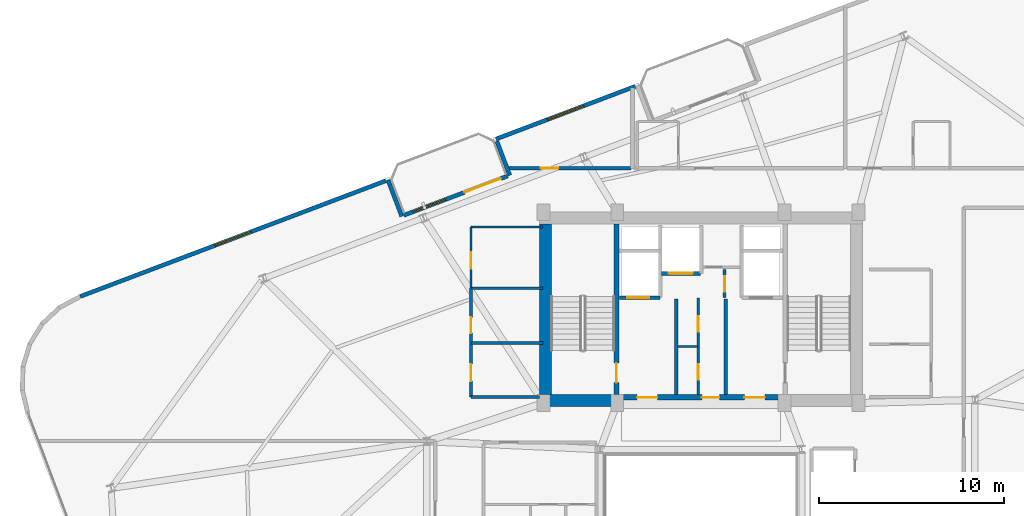
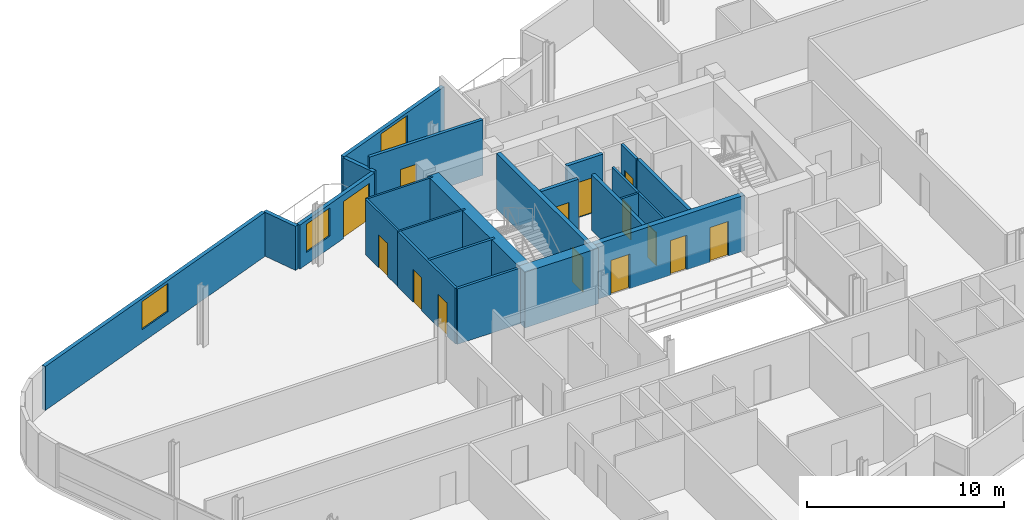
# One storey, part 16 of 20: 23 walls, 14 doors, 3 windows, 17 openings.
"""IFC4 building model written with IfcOpenShell, lengths in metres."""

from ifc_helpers import new_model, si_unit, direction, frame, frame_2d, origin, place, context, subcontext, project, spatial, rectangle, extrude, material, layer, layer_set, type_object, element, fill, save


model = new_model("IFC4")

# Units and contexts
model_context = context("Model", 3, precision=1e-05, world=origin(), true_north=direction((0.0, 1.0)))
body_context = subcontext(model_context, "Body", "Model", "MODEL_VIEW")
ifc_project = project(units=[si_unit("LENGTHUNIT", "METRE"), si_unit("AREAUNIT", "SQUARE_METRE"), si_unit("VOLUMEUNIT", "CUBIC_METRE"), si_unit("PLANEANGLEUNIT", "RADIAN"), si_unit("MASSUNIT", "GRAM", prefix="KILO")], contexts=[model_context])

# Site, building, storey
site_placement = place(None, origin())
site = spatial("IfcSite", under=ifc_project, at=site_placement, CompositionType="ELEMENT")
building_placement = place(site_placement, origin())
building = spatial("IfcBuilding", under=site, at=building_placement, Name="Varnelok Gate Tower", CompositionType="ELEMENT")
storey_placement = place(building_placement, frame((0.0, 0.0, 220.10009765625)))
storey = spatial("IfcBuildingStorey", under=building, at=storey_placement, Name="L56", CompositionType="ELEMENT", Elevation=220.10009765625)

# Wall, openings, door, window
ifc_material_1 = material(Name="Concrete C45/55", Category="concrete")
ifc_layer_1 = layer(ifc_material_1, 0.219970703125)
ifc_layer_set_1 = layer_set([ifc_layer_1], Name="Concrete C45/55")
wall_type_1 = type_object("IfcWallType", Name="EW-BALC-220", PredefinedType="SOLIDWALL", material=ifc_layer_set_1)
wall_1_placement = place(storey_placement, frame((23.1494140625, 38.88720703125, 0.0), z_axis=(0.0, 0.0, 1.0), x_axis=(0.9352192676, 0.354069091436, 0.0)))
wall_1 = element("IfcWall", 1, at=wall_1_placement, inside=storey, type_object=wall_type_1, Name="L56 North Terrace Envelope Wall 3", PredefinedType="SOLIDWALL", context=body_context, shape_type="SweptSolid", body=[
    extrude(rectangle(XDim=6.000244140625, YDim=0.219970703125, at=frame_2d((3.0, 0.0))), origin(), (0.0, 0.0, 1.0), 2.72998046875),
])
opening_1_placement = place(wall_1_placement, frame((3.5, 0.0, 0.0)))
opening_1 = element("IfcOpeningElement", 2, at=opening_1_placement, cuts=wall_1, Name="Opening BD-2", PredefinedType="OPENING", context=body_context, shape_type="SweptSolid", body=[
    extrude(rectangle(XDim=2.10009765625, YDim=2.300048828125, at=frame_2d((1.050048828125, 1.14990234375))), frame((0.0, 0.119873046875, 0.0), z_axis=(0.0, -1.0, 0.0), x_axis=(1.0, 0.0, 0.0)), (0.0, 0.0, 1.0), 0.239990234375),
])
opening_2_placement = place(wall_1_placement, frame((0.550048828125, 0.0, 0.75)))
opening_2 = element("IfcOpeningElement", 3, at=opening_2_placement, cuts=wall_1, Name="Opening WN5", PredefinedType="OPENING", context=body_context, shape_type="SweptSolid", body=[
    extrude(rectangle(XDim=1.85009765625, YDim=1.75, at=frame_2d((0.925048828125, 0.875))), frame((0.0, 0.119873046875, 0.0), z_axis=(0.0, -1.0, 0.0), x_axis=(1.0, 0.0, 0.0)), (0.0, 0.0, 1.0), 0.239990234375),
])
ifc_material_2 = material(Name="Anodized Aluminum Alloy 6063-T6", Category="aluminium")
door_type_1 = type_object("IfcDoorType", Name="DR-EXT-SLID2100", OperationType="SLIDING_TO_LEFT", PredefinedType="DOOR", material=ifc_material_2)
door_1_placement = place(opening_1_placement, origin())
door_1 = element("IfcDoor", 4, at=door_1_placement, inside=storey, type_object=door_type_1, Name="L56 North Balcony Glazed Door 3", OperationType="SLIDING_TO_LEFT", OverallHeight=2.300048828125, OverallWidth=2.10009765625, PredefinedType="DOOR", context=body_context, shape_type="SweptSolid", body=[
    extrude(rectangle(XDim=2.10009765625, YDim=2.300048828125, at=frame_2d((1.050048828125, 1.14990234375))), frame((0.0, 0.02490234375, 0.0), z_axis=(0.0, -1.0, 0.0), x_axis=(1.0, 0.0, 0.0)), (0.0, 0.0, 1.0), 0.050048828125),
])
fill(opening_1, door_1)
ifc_material_3 = material(Name="Low-E Laminated Double Glazing IGU", Category="glass")
window_type_1 = type_object("IfcWindowType", Name="WN-RES-1850", PartitioningType="SINGLE_PANEL", PredefinedType="WINDOW", material=ifc_material_3)
window_1_placement = place(opening_2_placement, origin())
window_1 = element("IfcWindow", 5, at=window_1_placement, inside=storey, type_object=window_type_1, Name="L56 North Vision Window 3.1", OverallHeight=1.75, OverallWidth=1.85009765625, PartitioningType="SINGLE_PANEL", PredefinedType="WINDOW", context=body_context, shape_type="SweptSolid", body=[
    extrude(rectangle(XDim=1.85009765625, YDim=1.75, at=frame_2d((0.925048828125, 0.875))), frame((0.0, 0.030029296875, 0.0), z_axis=(0.0, -1.0, 0.0), x_axis=(1.0, 0.0, 0.0)), (0.0, 0.0, 1.0), 0.06005859375),
])
fill(opening_2, window_1)

# Wall, opening, window
wall_2_placement = place(storey_placement, frame((35.647705078125, 45.853515625, 0.0), z_axis=(0.0, 0.0, 1.0), x_axis=(-0.935230796934, -0.354038636968, 0.0)))
wall_2 = element("IfcWall", 6, at=wall_2_placement, inside=storey, type_object=wall_type_1, Name="L56 Perimeter Facade Closure Wall 29", PredefinedType="SOLIDWALL", context=body_context, shape_type="SweptSolid", body=[
    extrude(rectangle(XDim=8.03515625, YDim=0.219970703125, at=frame_2d((4.017578125, 0.0))), origin(), (0.0, 0.0, 1.0), 2.72998046875),
])
opening_3_placement = place(wall_2_placement, frame((2.967529296875, 0.0, 0.800048828125)))
opening_3 = element("IfcOpeningElement", 7, at=opening_3_placement, cuts=wall_2, Name="Opening WN4", PredefinedType="OPENING", context=body_context, shape_type="SweptSolid", body=[
    extrude(rectangle(XDim=2.10009765625, YDim=1.75, at=frame_2d((1.050048828125, 0.875))), frame((0.0, 0.119873046875, 0.0), z_axis=(0.0, -1.0, 0.0), x_axis=(1.0, 0.0, 0.0)), (0.0, 0.0, 1.0), 0.239990234375),
])
window_type_2 = type_object("IfcWindowType", Name="WN-SUI-2100", PartitioningType="SINGLE_PANEL", PredefinedType="WINDOW", material=ifc_material_3)
window_2_placement = place(opening_3_placement, origin())
window_2 = element("IfcWindow", 8, at=window_2_placement, inside=storey, type_object=window_type_2, Name="L56 Perimeter Vision Window 29", OverallHeight=1.75, OverallWidth=2.10009765625, PartitioningType="SINGLE_PANEL", PredefinedType="WINDOW", context=body_context, shape_type="SweptSolid", body=[
    extrude(rectangle(XDim=2.10009765625, YDim=1.75, at=frame_2d((1.050048828125, 0.875))), frame((0.0, 0.030029296875, 0.0), z_axis=(0.0, -1.0, 0.0), x_axis=(1.0, 0.0, 0.0)), (0.0, 0.0, 1.0), 0.06005859375),
])
fill(opening_3, window_2)

# Walls
wall_3_placement = place(storey_placement, frame((28.177490234375, 42.891845703125, 0.0), z_axis=(0.0, 0.0, 1.0), x_axis=(0.354061611705, -0.935222099352, 0.0)))
element("IfcWall", 9, at=wall_3_placement, inside=storey, type_object=wall_type_1, Name="L56 Perimeter Facade Closure Wall 30", PredefinedType="SOLIDWALL", context=body_context, shape_type="SweptSolid", body=[
    extrude(rectangle(XDim=1.974853515625, YDim=0.219970703125, at=frame_2d((0.9873046875, 0.0))), origin(), (0.0, 0.0, 1.0), 2.72998046875),
])
wall_4_placement = place(storey_placement, frame((23.041015625, 38.83544921875, 0.0), z_axis=(0.0, 0.0, 1.0), x_axis=(-0.354128469405, 0.935196785258, 0.0)))
element("IfcWall", 10, at=wall_4_placement, inside=storey, type_object=wall_type_1, Name="L56 Perimeter Facade Closure Wall 31", PredefinedType="SOLIDWALL", context=body_context, shape_type="SweptSolid", body=[
    extrude(rectangle(XDim=2.099853515625, YDim=0.219970703125, at=frame_2d((1.0498046875, 0.0))), origin(), (0.0, 0.0, 1.0), 2.72998046875),
])

# Wall, opening, window
wall_5_placement = place(storey_placement, frame((22.180419921875, 40.755126953125, 0.0), z_axis=(0.0, 0.0, 1.0), x_axis=(-0.935223867561, -0.354056941104, 0.0)))
wall_5 = element("IfcWall", 11, at=wall_5_placement, inside=storey, type_object=wall_type_1, Name="L56 Perimeter Facade Closure Wall 32", PredefinedType="SOLIDWALL", context=body_context, shape_type="SweptSolid", body=[
    extrude(rectangle(XDim=17.64697265625, YDim=0.219970703125, at=frame_2d((8.823486328125, 0.0))), origin(), (0.0, 0.0, 1.0), 2.72998046875),
])
opening_4_placement = place(wall_5_placement, frame((7.773681640625, 0.0, 0.800048828125)))
opening_4 = element("IfcOpeningElement", 12, at=opening_4_placement, cuts=wall_5, Name="Opening WN4", PredefinedType="OPENING", context=body_context, shape_type="SweptSolid", body=[
    extrude(rectangle(XDim=2.10009765625, YDim=1.75, at=frame_2d((1.050048828125, 0.875))), frame((0.0, 0.119873046875, 0.0), z_axis=(0.0, -1.0, 0.0), x_axis=(1.0, 0.0, 0.0)), (0.0, 0.0, 1.0), 0.239990234375),
])
window_3_placement = place(opening_4_placement, origin())
window_3 = element("IfcWindow", 13, at=window_3_placement, inside=storey, type_object=window_type_2, Name="L56 Perimeter Vision Window 32", OverallHeight=1.75, OverallWidth=2.10009765625, PartitioningType="SINGLE_PANEL", PredefinedType="WINDOW", context=body_context, shape_type="SweptSolid", body=[
    extrude(rectangle(XDim=2.10009765625, YDim=1.75, at=frame_2d((1.050048828125, 0.875))), frame((0.0, 0.030029296875, 0.0), z_axis=(0.0, -1.0, 0.0), x_axis=(1.0, 0.0, 0.0)), (0.0, 0.0, 1.0), 0.06005859375),
])
fill(opening_4, window_3)

# Wall, opening, door
ifc_material_4 = material(Name="Gypsum Plasterboard Acoustic Partition", Category="gypsum")
ifc_layer_2 = layer(ifc_material_4, 0.179931640625)
ifc_layer_set_2 = layer_set([ifc_layer_2], Name="Gypsum Plasterboard Acoustic Partition")
wall_type_2 = type_object("IfcWallType", Name="PW-CORR-180", PredefinedType="PARTITIONING", material=ifc_layer_set_2)
wall_6_placement = place(storey_placement, frame((28.752197265625, 41.429931640625, 0.0), z_axis=(0.0, 0.0, 1.0), x_axis=(1.0, 0.0, 0.0)))
wall_6 = element("IfcWall", 14, at=wall_6_placement, inside=storey, type_object=wall_type_2, Name="Interior Partition", PredefinedType="PARTITIONING", context=body_context, shape_type="SweptSolid", body=[
    extrude(rectangle(XDim=6.667724609375, YDim=0.179931640625, at=frame_2d((3.333984375, 0.0))), origin(), (0.0, 0.0, 1.0), 3.449951171875),
])
opening_5_placement = place(wall_6_placement, frame((1.80322265625, 0.0, 0.0)))
opening_5 = element("IfcOpeningElement", 15, at=opening_5_placement, cuts=wall_6, Name="Opening D-I2", PredefinedType="OPENING", context=body_context, shape_type="SweptSolid", body=[
    extrude(rectangle(XDim=0.949951171875, YDim=2.050048828125, at=frame_2d((0.47509765625, 1.02490234375))), frame((0.0, 0.099853515625, 0.0), z_axis=(0.0, -1.0, 0.0), x_axis=(1.0, 0.0, 0.0)), (0.0, 0.0, 1.0), 0.199951171875),
])
ifc_material_5 = material(Name="Engineered Hardwood Timber", Category="wood")
door_type_2 = type_object("IfcDoorType", Name="DR-INT-950", OperationType="NOTDEFINED", PredefinedType="DOOR", material=ifc_material_5)
door_2_placement = place(opening_5_placement, origin())
door_2 = element("IfcDoor", 16, at=door_2_placement, inside=storey, type_object=door_type_2, Name="L56 Sky Library Door", OperationType="SINGLE_SWING_LEFT", OverallHeight=2.050048828125, OverallWidth=0.949951171875, PredefinedType="DOOR", context=body_context, shape_type="SweptSolid", body=[
    extrude(rectangle(XDim=0.949951171875, YDim=2.050048828125, at=frame_2d((0.47509765625, 1.02490234375))), frame((0.0, 0.02490234375, 0.0), z_axis=(0.0, -1.0, 0.0), x_axis=(1.0, 0.0, 0.0)), (0.0, 0.0, 1.0), 0.050048828125),
])
fill(opening_5, door_2)

# Walls
ifc_layer_3 = layer(ifc_material_4, 0.114990234375)
ifc_layer_set_3 = layer_set([ifc_layer_3], Name="Gypsum Plasterboard Acoustic Partition")
wall_type_3 = type_object("IfcWallType", Name="PW-ENS-125", PredefinedType="PARTITIONING", material=ifc_layer_set_3)
wall_7_placement = place(storey_placement, frame((26.800048828125, 34.949951171875, 0.0), z_axis=(0.0, 0.0, 1.0), x_axis=(1.0, 0.0, 0.0)))
element("IfcWall", 17, at=wall_7_placement, inside=storey, type_object=wall_type_3, Name="Interior Partition", PredefinedType="PARTITIONING", context=body_context, shape_type="SweptSolid", body=[
    extrude(rectangle(XDim=3.8798828125, YDim=0.114990234375, at=frame_2d((1.93994140625, 0.0))), origin(), (0.0, 0.0, 1.0), 3.449951171875),
])
wall_8_placement = place(storey_placement, frame((26.780029296875, 38.260009765625, 0.0), z_axis=(0.0, 0.0, 1.0), x_axis=(1.0, 0.0, 0.0)))
element("IfcWall", 18, at=wall_8_placement, inside=storey, type_object=wall_type_3, Name="Interior Partition", PredefinedType="PARTITIONING", context=body_context, shape_type="SweptSolid", body=[
    extrude(rectangle(XDim=3.89990234375, YDim=0.114990234375, at=frame_2d((1.949951171875, 0.0))), origin(), (0.0, 0.0, 1.0), 3.449951171875),
])

# Wall, opening, door
wall_9_placement = place(storey_placement, frame((26.780029296875, 34.949951171875, 0.0), z_axis=(0.0, 0.0, 1.0), x_axis=(0.0, 1.0, 0.0)))
wall_9 = element("IfcWall", 19, at=wall_9_placement, inside=storey, type_object=wall_type_3, Name="Interior Partition", PredefinedType="PARTITIONING", context=body_context, shape_type="SweptSolid", body=[
    extrude(rectangle(XDim=3.31005859375, YDim=0.114990234375, at=frame_2d((1.655029296875, 0.0))), origin(), (0.0, 0.0, 1.0), 3.449951171875),
])
opening_6_placement = place(wall_9_placement, frame((1.050048828125, 0.0, 0.0)))
opening_6 = element("IfcOpeningElement", 20, at=opening_6_placement, cuts=wall_9, Name="Opening D-WC", PredefinedType="OPENING", context=body_context, shape_type="SweptSolid", body=[
    extrude(rectangle(XDim=0.89990234375, YDim=2.050048828125, at=frame_2d((0.449951171875, 1.02490234375))), frame((0.0, 0.0673828125, 0.0), z_axis=(0.0, -1.0, 0.0), x_axis=(1.0, 0.0, 0.0)), (0.0, 0.0, 1.0), 0.135009765625),
])
door_type_3 = type_object("IfcDoorType", Name="DR-BATH-900", OperationType="NOTDEFINED", PredefinedType="DOOR", material=ifc_material_5)
door_3_placement = place(opening_6_placement, origin())
door_3 = element("IfcDoor", 21, at=door_3_placement, inside=storey, type_object=door_type_3, Name="L56 Core Staff WC Door", OperationType="SINGLE_SWING_LEFT", OverallHeight=2.050048828125, OverallWidth=0.89990234375, PredefinedType="DOOR", context=body_context, shape_type="SweptSolid", body=[
    extrude(rectangle(XDim=0.89990234375, YDim=2.050048828125, at=frame_2d((0.449951171875, 1.02490234375))), frame((0.0, 0.02490234375, 0.0), z_axis=(0.0, -1.0, 0.0), x_axis=(1.0, 0.0, 0.0)), (0.0, 0.0, 1.0), 0.050048828125),
])
fill(opening_6, door_3)

# Wall
ifc_layer_4 = layer(ifc_material_4, 0.125)
ifc_layer_set_4 = layer_set([ifc_layer_4], Name="Gypsum Plasterboard Acoustic Partition")
wall_type_4 = type_object("IfcWallType", Name="PW-PART-125", PredefinedType="PARTITIONING", material=ifc_layer_set_4)
wall_10_placement = place(storey_placement, frame((37.9599609375, 31.800048828125, 0.0), z_axis=(0.0, 0.0, 1.0), x_axis=(1.0, 0.0, 0.0)))
element("IfcWall", 22, at=wall_10_placement, inside=storey, type_object=wall_type_4, Name="Interior Partition", PredefinedType="PARTITIONING", context=body_context, shape_type="SweptSolid", body=[
    extrude(rectangle(XDim=1.090087890625, YDim=0.125, at=frame_2d((0.544921875, 0.0))), origin(), (0.0, 0.0, 1.0), 3.449951171875),
])

# Wall, openings, doors
wall_11_placement = place(storey_placement, frame((39.050048828125, 29.199951171875, 0.0), z_axis=(0.0, 0.0, 1.0), x_axis=(0.0, 1.0, 0.0)))
wall_11 = element("IfcWall", 23, at=wall_11_placement, inside=storey, type_object=wall_type_4, Name="Interior Partition", PredefinedType="PARTITIONING", context=body_context, shape_type="SweptSolid", body=[
    extrude(rectangle(XDim=5.219970703125, YDim=0.125, at=frame_2d((2.60986328125, 0.0))), origin(), (0.0, 0.0, 1.0), 3.449951171875),
])
opening_7_placement = place(wall_11_placement, frame((0.800048828125, 0.0, 0.0)))
opening_7 = element("IfcOpeningElement", 24, at=opening_7_placement, cuts=wall_11, Name="Opening D-RS", PredefinedType="OPENING", context=body_context, shape_type="SweptSolid", body=[
    extrude(rectangle(XDim=0.85009765625, YDim=2.050048828125, at=frame_2d((0.425048828125, 1.02490234375))), frame((0.0, 0.072509765625, 0.0), z_axis=(0.0, -1.0, 0.0), x_axis=(1.0, 0.0, 0.0)), (0.0, 0.0, 1.0), 0.14501953125),
])
opening_8_placement = place(wall_11_placement, frame((3.39990234375, 0.0, 0.0)))
opening_8 = element("IfcOpeningElement", 25, at=opening_8_placement, cuts=wall_11, Name="Opening D-RS", PredefinedType="OPENING", context=body_context, shape_type="SweptSolid", body=[
    extrude(rectangle(XDim=0.85009765625, YDim=2.050048828125, at=frame_2d((0.425048828125, 1.02490234375))), frame((0.0, 0.072509765625, 0.0), z_axis=(0.0, -1.0, 0.0), x_axis=(1.0, 0.0, 0.0)), (0.0, 0.0, 1.0), 0.14501953125),
])
ifc_material_6 = material(Name="Galvanized Steel Grade S350GD", Category="steel")
door_type_4 = type_object("IfcDoorType", Name="DR-RISER-850", OperationType="NOTDEFINED", PredefinedType="DOOR", material=ifc_material_6)
door_4_placement = place(opening_7_placement, origin())
door_4 = element("IfcDoor", 26, at=door_4_placement, inside=storey, type_object=door_type_4, Name="L56 Housekeeping Linen Door", OperationType="SINGLE_SWING_LEFT", OverallHeight=2.050048828125, OverallWidth=0.85009765625, PredefinedType="DOOR", context=body_context, shape_type="SweptSolid", body=[
    extrude(rectangle(XDim=0.85009765625, YDim=2.050048828125, at=frame_2d((0.425048828125, 1.02490234375))), frame((0.0, 0.02490234375, 0.0), z_axis=(0.0, -1.0, 0.0), x_axis=(1.0, 0.0, 0.0)), (0.0, 0.0, 1.0), 0.050048828125),
])
fill(opening_7, door_4)
door_5_placement = place(opening_8_placement, origin())
door_5 = element("IfcDoor", 27, at=door_5_placement, inside=storey, type_object=door_type_4, Name="L56 Janitor Sink Door", OperationType="SINGLE_SWING_RIGHT", OverallHeight=2.050048828125, OverallWidth=0.85009765625, PredefinedType="DOOR", context=body_context, shape_type="SweptSolid", body=[
    extrude(rectangle(XDim=0.85009765625, YDim=2.050048828125, at=frame_2d((0.425048828125, 1.02490234375))), frame((0.0, 0.02490234375, 0.0), z_axis=(0.0, -1.0, 0.0), x_axis=(1.0, 0.0, 0.0)), (0.0, 0.0, 1.0), 0.050048828125),
])
fill(opening_8, door_5)

# Wall, opening, door
ifc_layer_5 = layer(ifc_material_4, 0.14990234375)
ifc_layer_set_5 = layer_set([ifc_layer_5], Name="Gypsum Plasterboard Acoustic Partition")
wall_type_5 = type_object("IfcWallType", Name="PW-PART-150", PredefinedType="PARTITIONING", material=ifc_layer_set_5)
wall_12_placement = place(storey_placement, frame((40.47998046875, 34.43994140625, 0.0), z_axis=(0.0, 0.0, 1.0), x_axis=(0.0, 1.0, 0.0)))
wall_12 = element("IfcWall", 28, at=wall_12_placement, inside=storey, type_object=wall_type_5, Name="L56 Telecoms Closet West Wall", PredefinedType="PARTITIONING", context=body_context, shape_type="SweptSolid", body=[
    extrude(rectangle(XDim=1.52001953125, YDim=0.14990234375, at=frame_2d((0.760009765625, 0.0))), origin(), (0.0, 0.0, 1.0), 3.449951171875),
])
opening_9_placement = place(wall_12_placement, frame((0.320068359375, 0.0, 0.0)))
opening_9 = element("IfcOpeningElement", 29, at=opening_9_placement, cuts=wall_12, Name="Opening D-RS", PredefinedType="OPENING", context=body_context, shape_type="SweptSolid", body=[
    extrude(rectangle(XDim=0.85009765625, YDim=2.050048828125, at=frame_2d((0.425048828125, 1.02490234375))), frame((0.0, 0.0849609375, 0.0), z_axis=(0.0, -1.0, 0.0), x_axis=(1.0, 0.0, 0.0)), (0.0, 0.0, 1.0), 0.169921875),
])
door_6_placement = place(opening_9_placement, origin())
door_6 = element("IfcDoor", 30, at=door_6_placement, inside=storey, type_object=door_type_4, Name="L56 Telecoms Closet Door", OperationType="SINGLE_SWING_LEFT", OverallHeight=2.050048828125, OverallWidth=0.85009765625, PredefinedType="DOOR", context=body_context, shape_type="SweptSolid", body=[
    extrude(rectangle(XDim=0.85009765625, YDim=2.050048828125, at=frame_2d((0.425048828125, 1.02490234375))), frame((0.0, 0.02490234375, 0.0), z_axis=(0.0, -1.0, 0.0), x_axis=(1.0, 0.0, 0.0)), (0.0, 0.0, 1.0), 0.050048828125),
])
fill(opening_9, door_6)

# Walls
wall_13_placement = place(storey_placement, frame((26.780029296875, 29.080078125, 0.0), z_axis=(0.0, 0.0, 1.0), x_axis=(1.0, 0.0, 0.0)))
element("IfcWall", 31, at=wall_13_placement, inside=storey, type_object=wall_type_5, Name="Interior Partition", PredefinedType="PARTITIONING", context=body_context, shape_type="SweptSolid", body=[
    extrude(rectangle(XDim=3.699951171875, YDim=0.14990234375, at=frame_2d((1.85009765625, 0.0))), origin(), (0.0, 0.0, 1.0), 3.449951171875),
])
wall_14_placement = place(storey_placement, frame((26.800048828125, 31.989990234375, 0.0), z_axis=(0.0, 0.0, 1.0), x_axis=(1.0, 0.0, 0.0)))
element("IfcWall", 32, at=wall_14_placement, inside=storey, type_object=wall_type_5, Name="Interior Partition", PredefinedType="PARTITIONING", context=body_context, shape_type="SweptSolid", body=[
    extrude(rectangle(XDim=3.8798828125, YDim=0.14990234375, at=frame_2d((1.93994140625, 0.0))), origin(), (0.0, 0.0, 1.0), 3.449951171875),
])

# Wall, openings, doors
wall_15_placement = place(storey_placement, frame((26.780029296875, 29.080078125, 0.0), z_axis=(0.0, 0.0, 1.0), x_axis=(0.0, 1.0, 0.0)))
wall_15 = element("IfcWall", 33, at=wall_15_placement, inside=storey, type_object=wall_type_5, Name="Interior Partition", PredefinedType="PARTITIONING", context=body_context, shape_type="SweptSolid", body=[
    extrude(rectangle(XDim=5.869873046875, YDim=0.14990234375, at=frame_2d((2.93505859375, 0.0))), origin(), (0.0, 0.0, 1.0), 3.449951171875),
])
opening_10_placement = place(wall_15_placement, frame((0.85009765625, 0.0, 0.0)))
opening_10 = element("IfcOpeningElement", 34, at=opening_10_placement, cuts=wall_15, Name="Opening D-I3", PredefinedType="OPENING", context=body_context, shape_type="SweptSolid", body=[
    extrude(rectangle(XDim=0.919921875, YDim=2.050048828125, at=frame_2d((0.4599609375, 1.02490234375))), frame((0.0, 0.0849609375, 0.0), z_axis=(0.0, -1.0, 0.0), x_axis=(1.0, 0.0, 0.0)), (0.0, 0.0, 1.0), 0.169921875),
])
opening_11_placement = place(wall_15_placement, frame((3.449951171875, 0.0, 0.0)))
opening_11 = element("IfcOpeningElement", 35, at=opening_11_placement, cuts=wall_15, Name="Opening D-RS", PredefinedType="OPENING", context=body_context, shape_type="SweptSolid", body=[
    extrude(rectangle(XDim=0.85009765625, YDim=2.050048828125, at=frame_2d((0.425048828125, 1.02490234375))), frame((0.0, 0.0849609375, 0.0), z_axis=(0.0, -1.0, 0.0), x_axis=(1.0, 0.0, 0.0)), (0.0, 0.0, 1.0), 0.169921875),
])
door_type_5 = type_object("IfcDoorType", Name="DR-INT-920", OperationType="NOTDEFINED", PredefinedType="DOOR", material=ifc_material_5)
door_7_placement = place(opening_10_placement, origin())
door_7 = element("IfcDoor", 36, at=door_7_placement, inside=storey, type_object=door_type_5, Name="L56 Core Linen Door", OperationType="SINGLE_SWING_LEFT", OverallHeight=2.050048828125, OverallWidth=0.919921875, PredefinedType="DOOR", context=body_context, shape_type="SweptSolid", body=[
    extrude(rectangle(XDim=0.919921875, YDim=2.050048828125, at=frame_2d((0.4599609375, 1.02490234375))), frame((0.0, 0.02490234375, 0.0), z_axis=(0.0, -1.0, 0.0), x_axis=(1.0, 0.0, 0.0)), (0.0, 0.0, 1.0), 0.050048828125),
])
fill(opening_10, door_7)
door_8_placement = place(opening_11_placement, origin())
door_8 = element("IfcDoor", 37, at=door_8_placement, inside=storey, type_object=door_type_4, Name="L56 Core Janitor Door", OperationType="SINGLE_SWING_RIGHT", OverallHeight=2.050048828125, OverallWidth=0.85009765625, PredefinedType="DOOR", context=body_context, shape_type="SweptSolid", body=[
    extrude(rectangle(XDim=0.85009765625, YDim=2.050048828125, at=frame_2d((0.425048828125, 1.02490234375))), frame((0.0, 0.02490234375, 0.0), z_axis=(0.0, -1.0, 0.0), x_axis=(1.0, 0.0, 0.0)), (0.0, 0.0, 1.0), 0.050048828125),
])
fill(opening_11, door_8)

# Walls
ifc_material_7 = material(Name="Concrete C35/45", Category="concrete")
ifc_layer_6 = layer(ifc_material_7, 0.199951171875)
ifc_layer_set_6 = layer_set([ifc_layer_6], Name="Concrete C35/45")
wall_type_6 = type_object("IfcWallType", Name="PW-SHAFT-200", PredefinedType="PARTITIONING", material=ifc_layer_set_6)
for number, where, z_axis, x_axis, name in (
    (38, (37.860107421875, 29.199951171875, 0.0), (0.0, 0.0, 1.0), (0.0, 1.0, 0.0), "L56 West FF Lobby Rated Wall"),
    (39, (40.5400390625, 29.199951171875, 0.0), (0.0, 0.0, 1.0), (0.0, 1.0, 0.0), "L56 East FF Lobby Rated Wall"),
):
    element("IfcWall", number, at=place(storey_placement, frame(where, z_axis=z_axis, x_axis=x_axis)), inside=storey, type_object=wall_type_6, Name=name, PredefinedType="PARTITIONING", context=body_context, shape_type="SweptSolid", body=[
        extrude(rectangle(XDim=5.179931640625, YDim=0.199951171875, at=frame_2d((2.58984375, 0.0))), origin(), (0.0, 0.0, 1.0), 3.449951171875),
    ])

# Wall, opening, door
wall_16_placement = place(storey_placement, frame((34.800048828125, 34.43994140625, 0.0), z_axis=(0.0, 0.0, 1.0), x_axis=(1.0, 0.0, 0.0)))
wall_16 = element("IfcWall", 40, at=wall_16_placement, inside=storey, type_object=wall_type_6, Name="L56 FF1 Shaft Front Wall", PredefinedType="PARTITIONING", context=body_context, shape_type="SweptSolid", body=[
    extrude(rectangle(XDim=2.179931640625, YDim=0.199951171875, at=frame_2d((1.08984375, 0.0))), origin(), (0.0, 0.0, 1.0), 3.449951171875),
])
opening_12_placement = place(wall_16_placement, frame((0.419921875, 0.0, 0.0)))
opening_12 = element("IfcOpeningElement", 41, at=opening_12_placement, cuts=wall_16, Name="Opening LD-FF1", PredefinedType="OPENING", context=body_context, shape_type="SweptSolid", body=[
    extrude(rectangle(XDim=1.199951171875, YDim=2.199951171875, at=frame_2d((0.60009765625, 1.10009765625))), frame((0.0, 0.10986328125, 0.0), z_axis=(0.0, -1.0, 0.0), x_axis=(1.0, 0.0, 0.0)), (0.0, 0.0, 1.0), 0.219970703125),
])
door_type_6 = type_object("IfcDoorType", Name="DR-LIFT-FF1200", OperationType="SLIDING_TO_LEFT", PredefinedType="DOOR", material=ifc_material_6)
door_9_placement = place(opening_12_placement, origin())
door_9 = element("IfcDoor", 42, at=door_9_placement, inside=storey, type_object=door_type_6, Name="L56 Firefighting Lift Landing Door LD-FF1", OperationType="SLIDING_TO_LEFT", OverallHeight=2.199951171875, OverallWidth=1.199951171875, PredefinedType="DOOR", context=body_context, shape_type="SweptSolid", body=[
    extrude(rectangle(XDim=1.199951171875, YDim=2.199951171875, at=frame_2d((0.60009765625, 1.10009765625))), frame((0.0, 0.02490234375, 0.0), z_axis=(0.0, -1.0, 0.0), x_axis=(1.0, 0.0, 0.0)), (0.0, 0.0, 1.0), 0.050048828125),
])
fill(opening_12, door_9)

wall_17_placement = place(storey_placement, frame((37.06005859375, 35.75, 0.0), z_axis=(0.0, 0.0, 1.0), x_axis=(1.0, 0.0, 0.0)))
wall_17 = element("IfcWall", 43, at=wall_17_placement, inside=storey, type_object=wall_type_6, Name="L56 SV1 Shaft Front Wall", PredefinedType="PARTITIONING", context=body_context, shape_type="SweptSolid", body=[
    extrude(rectangle(XDim=2.119873046875, YDim=0.199951171875, at=frame_2d((1.06005859375, 0.0))), origin(), (0.0, 0.0, 1.0), 3.449951171875),
])
opening_13_placement = place(wall_17_placement, frame((0.39990234375, 0.0, 0.0)))
opening_13 = element("IfcOpeningElement", 44, at=opening_13_placement, cuts=wall_17, Name="Opening LD-SV1", PredefinedType="OPENING", context=body_context, shape_type="SweptSolid", body=[
    extrude(rectangle(XDim=1.300048828125, YDim=2.199951171875, at=frame_2d((0.64990234375, 1.10009765625))), frame((0.0, 0.10986328125, 0.0), z_axis=(0.0, -1.0, 0.0), x_axis=(1.0, 0.0, 0.0)), (0.0, 0.0, 1.0), 0.219970703125),
])
door_type_7 = type_object("IfcDoorType", Name="DR-LIFT-SV1300", OperationType="SLIDING_TO_LEFT", PredefinedType="DOOR", material=ifc_material_6)
door_10_placement = place(opening_13_placement, origin())
door_10 = element("IfcDoor", 45, at=door_10_placement, inside=storey, type_object=door_type_7, Name="L56 Service Lift Landing Door LD-SV1", OperationType="SLIDING_TO_LEFT", OverallHeight=2.199951171875, OverallWidth=1.300048828125, PredefinedType="DOOR", context=body_context, shape_type="SweptSolid", body=[
    extrude(rectangle(XDim=1.300048828125, YDim=2.199951171875, at=frame_2d((0.64990234375, 1.10009765625))), frame((0.0, 0.02490234375, 0.0), z_axis=(0.0, -1.0, 0.0), x_axis=(1.0, 0.0, 0.0)), (0.0, 0.0, 1.0), 0.050048828125),
])
fill(opening_13, door_10)

# Walls
ifc_material_8 = material(Name="Concrete C60/75", Category="concrete")
ifc_layer_7 = layer(ifc_material_8, 0.64990234375)
ifc_layer_set_7 = layer_set([ifc_layer_7], Name="Concrete C60/75")
wall_type_7 = type_object("IfcWallType", Name="SW-CORE-650", PredefinedType="SHEAR", material=ifc_layer_set_7)
wall_18_placement = place(storey_placement, frame((30.804931640625, 29.199951171875, 0.0), z_axis=(0.0, 0.0, 1.0), x_axis=(0.0, 1.0, 0.0)))
element("IfcWall", 46, at=wall_18_placement, inside=storey, type_object=wall_type_7, Name="L56 Rear Core West Shear Wall", PredefinedType="SHEAR", context=body_context, shape_type="SweptSolid", body=[
    extrude(rectangle(XDim=9.219970703125, YDim=0.64990234375, at=frame_2d((4.60986328125, 0.0))), origin(), (0.0, 0.0, 1.0), 3.449951171875),
])
wall_19_placement = place(storey_placement, frame((30.47998046875, 28.875, 0.0), z_axis=(0.0, 0.0, 1.0), x_axis=(1.0, 0.0, 0.0)))
element("IfcWall", 47, at=wall_19_placement, inside=storey, type_object=wall_type_7, Name="L56 Rear Core South-West Shear Wall", PredefinedType="SHEAR", context=body_context, shape_type="SweptSolid", body=[
    extrude(rectangle(XDim=4.320068359375, YDim=0.64990234375, at=frame_2d((2.16015625, 0.0))), origin(), (0.0, 0.0, 1.0), 3.449951171875),
])

# Wall, opening, door
ifc_layer_8 = layer(ifc_material_8, 0.25)
ifc_layer_set_8 = layer_set([ifc_layer_8], Name="Concrete C60/75")
wall_type_8 = type_object("IfcWallType", Name="SW-SHAFT-250", PredefinedType="SHEAR", material=ifc_layer_set_8)
wall_20_placement = place(storey_placement, frame((34.639892578125, 29.199951171875, 0.0), z_axis=(0.0, 0.0, 1.0), x_axis=(0.0, 1.0, 0.0)))
wall_20 = element("IfcWall", 48, at=wall_20_placement, inside=storey, type_object=wall_type_8, Name="L56 Stair ST-1 East Shear Wall", PredefinedType="SHEAR", context=body_context, shape_type="SweptSolid", body=[
    extrude(rectangle(XDim=9.219970703125, YDim=0.25, at=frame_2d((4.60986328125, 0.0))), origin(), (0.0, 0.0, 1.0), 3.449951171875),
])
opening_14_placement = place(wall_20_placement, frame((0.64990234375, 0.0, 0.0)))
opening_14 = element("IfcOpeningElement", 49, at=opening_14_placement, cuts=wall_20, Name="Opening D-ST", PredefinedType="OPENING", context=body_context, shape_type="SweptSolid", body=[
    extrude(rectangle(XDim=1.050048828125, YDim=2.14990234375, at=frame_2d((0.52490234375, 1.074951171875))), frame((0.0, 0.135009765625, 0.0), z_axis=(0.0, -1.0, 0.0), x_axis=(1.0, 0.0, 0.0)), (0.0, 0.0, 1.0), 0.27001953125),
])
door_type_8 = type_object("IfcDoorType", Name="DR-STAIR-1050", OperationType="NOTDEFINED", PredefinedType="DOOR", material=ifc_material_6)
door_11_placement = place(opening_14_placement, origin())
door_11 = element("IfcDoor", 50, at=door_11_placement, inside=storey, type_object=door_type_8, Name="L56 Exit Stair ST-1 Fire Door", OperationType="SINGLE_SWING_LEFT", OverallHeight=2.14990234375, OverallWidth=1.050048828125, PredefinedType="DOOR", context=body_context, shape_type="SweptSolid", body=[
    extrude(rectangle(XDim=1.050048828125, YDim=2.14990234375, at=frame_2d((0.52490234375, 1.074951171875))), frame((0.0, 0.02490234375, 0.0), z_axis=(0.0, -1.0, 0.0), x_axis=(1.0, 0.0, 0.0)), (0.0, 0.0, 1.0), 0.050048828125),
])
fill(opening_14, door_11)

# Wall, openings, doors
ifc_layer_9 = layer(ifc_material_8, 0.300048828125)
ifc_layer_set_9 = layer_set([ifc_layer_9], Name="Concrete C60/75")
wall_type_9 = type_object("IfcWallType", Name="SW-SHAFT-300", PredefinedType="SHEAR", material=ifc_layer_set_9)
wall_21_placement = place(storey_placement, frame((34.800048828125, 29.050048828125, 0.0), z_axis=(0.0, 0.0, 1.0), x_axis=(1.0, 0.0, 0.0)))
wall_21 = element("IfcWall", 51, at=wall_21_placement, inside=storey, type_object=wall_type_9, Name="L56 Rear Core Central Lobby Shear Wall", PredefinedType="SHEAR", context=body_context, shape_type="SweptSolid", body=[
    extrude(rectangle(XDim=8.800048828125, YDim=0.300048828125, at=frame_2d((4.39990234375, 0.0))), origin(), (0.0, 0.0, 1.0), 3.449951171875),
])
opening_15_placement = place(wall_21_placement, frame((0.949951171875, 0.0, 0.0)))
opening_15 = element("IfcOpeningElement", 52, at=opening_15_placement, cuts=wall_21, Name="Opening D-FF", PredefinedType="OPENING", context=body_context, shape_type="SweptSolid", body=[
    extrude(rectangle(XDim=1.10009765625, YDim=2.14990234375, at=frame_2d((0.550048828125, 1.074951171875))), frame((0.0, 0.159912109375, 0.0), z_axis=(0.0, -1.0, 0.0), x_axis=(1.0, 0.0, 0.0)), (0.0, 0.0, 1.0), 0.320068359375),
])
opening_16_placement = place(wall_21_placement, frame((6.75, 0.0, 0.0)))
opening_16 = element("IfcOpeningElement", 53, at=opening_16_placement, cuts=wall_21, Name="Opening D-FF", PredefinedType="OPENING", context=body_context, shape_type="SweptSolid", body=[
    extrude(rectangle(XDim=1.10009765625, YDim=2.14990234375, at=frame_2d((0.550048828125, 1.074951171875))), frame((0.0, 0.159912109375, 0.0), z_axis=(0.0, -1.0, 0.0), x_axis=(1.0, 0.0, 0.0)), (0.0, 0.0, 1.0), 0.320068359375),
])
opening_17_placement = place(wall_21_placement, frame((4.449951171875, 0.0, 0.0)))
opening_17 = element("IfcOpeningElement", 54, at=opening_17_placement, cuts=wall_21, Name="Opening D-CR", PredefinedType="OPENING", context=body_context, shape_type="SweptSolid", body=[
    extrude(rectangle(XDim=0.949951171875, YDim=2.14990234375, at=frame_2d((0.47509765625, 1.074951171875))), frame((0.0, 0.159912109375, 0.0), z_axis=(0.0, -1.0, 0.0), x_axis=(1.0, 0.0, 0.0)), (0.0, 0.0, 1.0), 0.320068359375),
])
door_type_9 = type_object("IfcDoorType", Name="DR-CORR-950", OperationType="NOTDEFINED", PredefinedType="DOOR", material=ifc_material_6)
door_12_placement = place(opening_17_placement, origin())
door_12 = element("IfcDoor", 55, at=door_12_placement, inside=storey, type_object=door_type_9, Name="L56 Core Service Passage Door", OperationType="SINGLE_SWING_LEFT", OverallHeight=2.14990234375, OverallWidth=0.949951171875, PredefinedType="DOOR", context=body_context, shape_type="SweptSolid", body=[
    extrude(rectangle(XDim=0.949951171875, YDim=2.14990234375, at=frame_2d((0.47509765625, 1.074951171875))), frame((0.0, 0.02490234375, 0.0), z_axis=(0.0, -1.0, 0.0), x_axis=(1.0, 0.0, 0.0)), (0.0, 0.0, 1.0), 0.050048828125),
])
fill(opening_17, door_12)
door_type_10 = type_object("IfcDoorType", Name="DR-FFLOB-1100", OperationType="NOTDEFINED", PredefinedType="DOOR", material=ifc_material_6)
door_13_placement = place(opening_15_placement, origin())
door_13 = element("IfcDoor", 56, at=door_13_placement, inside=storey, type_object=door_type_10, Name="L56 West Firefighting Lobby Fire Door", OperationType="SINGLE_SWING_RIGHT", OverallHeight=2.14990234375, OverallWidth=1.10009765625, PredefinedType="DOOR", context=body_context, shape_type="SweptSolid", body=[
    extrude(rectangle(XDim=1.10009765625, YDim=2.14990234375, at=frame_2d((0.550048828125, 1.074951171875))), frame((0.0, 0.02490234375, 0.0), z_axis=(0.0, -1.0, 0.0), x_axis=(1.0, 0.0, 0.0)), (0.0, 0.0, 1.0), 0.050048828125),
])
fill(opening_15, door_13)
door_14_placement = place(opening_16_placement, origin())
door_14 = element("IfcDoor", 57, at=door_14_placement, inside=storey, type_object=door_type_10, Name="L56 East Firefighting Lobby Fire Door", OperationType="SINGLE_SWING_LEFT", OverallHeight=2.14990234375, OverallWidth=1.10009765625, PredefinedType="DOOR", context=body_context, shape_type="SweptSolid", body=[
    extrude(rectangle(XDim=1.10009765625, YDim=2.14990234375, at=frame_2d((0.550048828125, 1.074951171875))), frame((0.0, 0.02490234375, 0.0), z_axis=(0.0, -1.0, 0.0), x_axis=(1.0, 0.0, 0.0)), (0.0, 0.0, 1.0), 0.050048828125),
])
fill(opening_16, door_14)

save(model, "model.ifc")
